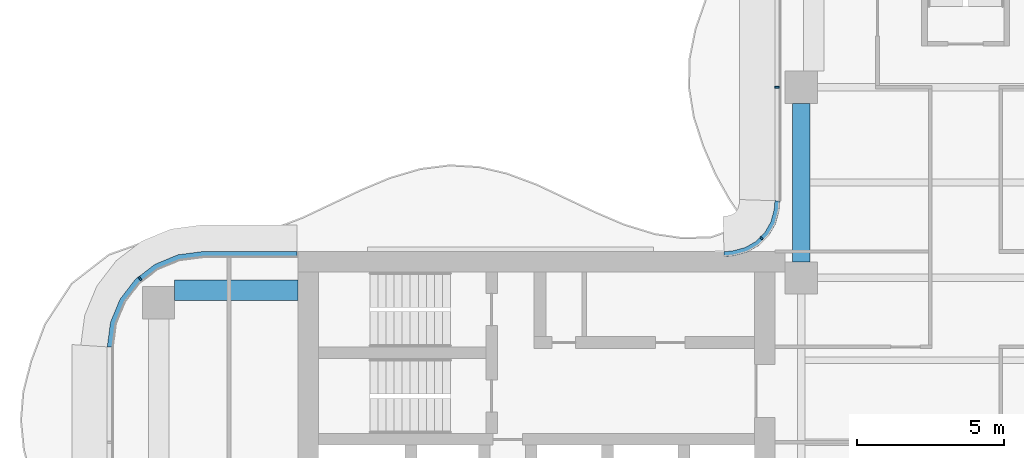
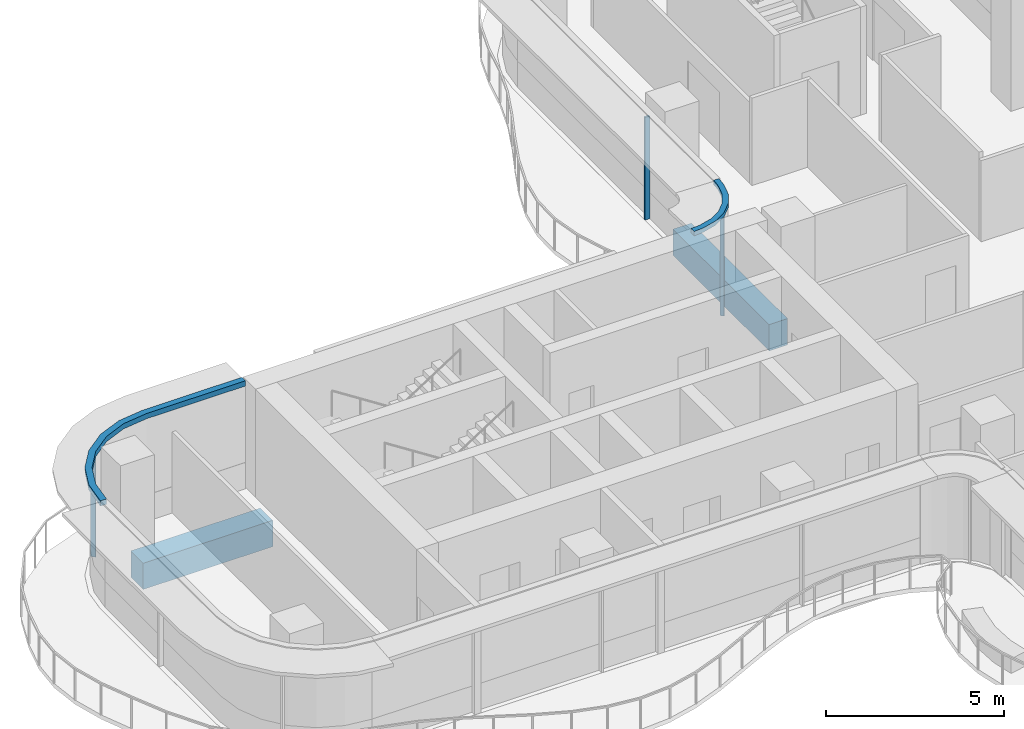
# One storey, part 7 of 19: 5 members, 2 beams, 3 elements without a shape of their own.
"""IFC4 building model written with IfcOpenShell, lengths in metres."""

from ifc_helpers import new_model, si_unit, direction, frame, origin, origin_2d, place, context, subcontext, project, spatial, polyline, rectangle, outline, extrude, source, transform, mapped, material, layer, layer_set, material_profile, profile_set, type_object, element, aggregate, save


model = new_model("IFC4")

# Units and contexts
model_context = context("Model", 3, precision=1e-05, world=origin(), true_north=direction((0.0, 1.0)))
body_context = subcontext(model_context, "Body", "Model", "MODEL_VIEW")
ifc_project = project(units=[si_unit("LENGTHUNIT", "METRE"), si_unit("AREAUNIT", "SQUARE_METRE"), si_unit("VOLUMEUNIT", "CUBIC_METRE"), si_unit("PLANEANGLEUNIT", "RADIAN"), si_unit("MASSUNIT", "GRAM", prefix="KILO")], contexts=[model_context])

# Site, building, storey
site_placement = place(None, origin())
site = spatial("IfcSite", under=ifc_project, at=site_placement, CompositionType="ELEMENT")
building_placement = place(site_placement, origin())
building = spatial("IfcBuilding", under=site, at=building_placement, Name="Trellis Farm Tower", CompositionType="ELEMENT")
storey_placement = place(building_placement, frame((0.0, 0.0, 228.5)))
storey = spatial("IfcBuildingStorey", under=building, at=storey_placement, Name="L50", CompositionType="ELEMENT", Elevation=228.5)

# Beams
ifc_material_1 = material(Name="Concrete C60/75", Category="concrete")
ifc_material_profile_1 = material_profile(ifc_material_1, rectangle(XDim=0.60009765625, YDim=0.89990234375, at=origin_2d()), Name="RC spandrel beam 600x900 C60/75")
ifc_profile_set_1 = profile_set([ifc_material_profile_1], Name="Concrete C60/75")
beam_type_1 = type_object("IfcBeamType", Name="RC spandrel beam 600x900 C60/75", PredefinedType="SPANDREL", material=ifc_profile_set_1)
shared_shape_1 = source(origin(), body_context, "Body", "SweptSolid", [
    extrude(rectangle(XDim=0.60009765625, YDim=0.89990234375, at=origin_2d()), origin(), (0.0, 0.0, 1.0), 5.400146484375),
])
beam_1_placement = place(storey_placement, frame((-5.60009765625, 6.14990234375, -0.64990234375), z_axis=(0.0, 1.0, 0.0), x_axis=(-1.0, 0.0, 0.0)))
element("IfcBeam", 1, at=beam_1_placement, inside=storey, type_object=beam_type_1, Name="Girder", PredefinedType="SPANDREL", context=body_context, shape_type="MappedRepresentation", body=[
    mapped(shared_shape_1, transform((0.0, 0.0, 0.0))),
])
ifc_material_profile_2 = material_profile(ifc_material_1, rectangle(XDim=0.699951171875, YDim=0.89990234375, at=origin_2d()), Name="RC spandrel beam 700x900 C60/75")
ifc_profile_set_2 = profile_set([ifc_material_profile_2], Name="Concrete C60/75")
beam_type_2 = type_object("IfcBeamType", Name="RC spandrel beam 700x900 C60/75", PredefinedType="SPANDREL", material=ifc_profile_set_2)
shared_shape_2 = source(origin(), body_context, "Body", "SweptSolid", [
    extrude(rectangle(XDim=0.699951171875, YDim=0.89990234375, at=origin_2d()), origin(), (0.0, 0.0, 1.0), 4.199951171875),
])
beam_2_placement = place(storey_placement, frame((-26.949951171875, 5.175048828125, -0.64990234375), z_axis=(1.0, 0.0, 0.0), x_axis=(0.0, 1.0, 0.0)))
element("IfcBeam", 2, at=beam_2_placement, inside=storey, type_object=beam_type_2, Name="Girder", PredefinedType="SPANDREL", context=body_context, shape_type="MappedRepresentation", body=[
    mapped(shared_shape_2, transform((0.0, 0.0, 0.0))),
])

# Curtain wall, member
ifc_material_2 = material(Name="Aluminium and glass curtain wall", Category="aluminium")
ifc_layer_1 = layer(ifc_material_2, 0.166015625)
ifc_layer_set_1 = layer_set([ifc_layer_1], Name="WINTER GARDEN CURTAIN WALL CW3")
curtain_wall_type_1 = type_object("IfcCurtainWallType", Name="WINTER GARDEN CURTAIN WALL CW3", PredefinedType="NOTDEFINED", material=ifc_layer_set_1)
placement = place(storey_placement, origin())
curtain_wall_1 = element("IfcCurtainWall", 3, at=placement, inside=storey, type_object=curtain_wall_type_1, Name="CW3 004", PredefinedType="NOTDEFINED")
ifc_material_3 = material(Name="Aluminium extrusion 6063-T6", Category="aluminium")
ifc_layer_2 = layer(ifc_material_3, 0.169921875)
ifc_layer_set_2 = layer_set([ifc_layer_2], Name="Aluminium extrusion 6063-T6")
member_type_1 = type_object("IfcMemberType", Name="CW3 TRANSOM 170x150", PredefinedType="USERDEFINED", material=ifc_layer_set_2)
shared_shape_3 = source(origin(), body_context, "Body", "SweptSolid", [
    extrude(outline(polyline([(-6.5, 8.2314453125), (-6.513916015625, 8.01953125), (-6.527587890625, 7.91552734375), (-6.63671875, 7.508544921875), (-6.846923828125, 7.144287109375), (-7.144287109375, 6.846923828125), (-7.508544921875, 6.63671875), (-7.91552734375, 6.527587890625), (-8.01953125, 6.513916015625), (-8.2314453125, 6.5), (-8.225830078125, 6.330078125), (-8.0029296875, 6.3447265625), (-7.88232421875, 6.360595703125), (-7.44287109375, 6.478271484375), (-7.0400390625, 6.7109375), (-6.7109375, 7.0400390625), (-6.478271484375, 7.44287109375), (-6.360595703125, 7.88232421875), (-6.3447265625, 8.0029296875), (-6.330078125, 8.225830078125), (-6.5, 8.2314453125)])), origin(), (0.0, 0.0, 1.0), 0.14990234375),
])
member_1_placement = place(storey_placement, frame((0.0, 0.0, 3.550048828125)))
member_1 = element("IfcMember", 4, at=member_1_placement, type_object=member_type_1, Name="TR3 004", ObjectType="TRANSOM", PredefinedType="USERDEFINED", context=body_context, shape_type="MappedRepresentation", body=[
    mapped(shared_shape_3, transform((0.0, 0.0, 0.0))),
])

ifc_layer_3 = layer(ifc_material_2, 0.18994140625)
ifc_layer_set_3 = layer_set([ifc_layer_3], Name="RIBBON CURTAIN WALL CW1")
curtain_wall_type_2 = type_object("IfcCurtainWallType", Name="RIBBON CURTAIN WALL CW1", PredefinedType="NOTDEFINED", material=ifc_layer_set_3)
curtain_wall_2 = element("IfcCurtainWall", 5, at=placement, inside=storey, type_object=curtain_wall_type_2, Name="CW1 011", PredefinedType="NOTDEFINED")
ifc_material_profile_3 = material_profile(ifc_material_3, rectangle(XDim=0.06005859375, YDim=0.14990234375, at=origin_2d()), Name="MULLION 60x150")
ifc_profile_set_3 = profile_set([ifc_material_profile_3], Name="Aluminium extrusion 6063-T6")
member_type_2 = type_object("IfcMemberType", Name="CW1 MULLION 60x150", PredefinedType="MULLION", material=ifc_profile_set_3)
shared_shape_4 = source(origin(), body_context, "Body", "SweptSolid", [
    extrude(rectangle(XDim=0.06005859375, YDim=0.14990234375, at=origin_2d()), origin(), (0.0, 0.0, 1.0), 3.52001953125),
])
member_2_placement = place(storey_placement, frame((-6.425048828125, 12.10009765625, 0.0), z_axis=(0.0, 0.0, 1.0), x_axis=(0.0, -1.0, 0.0)))
member_2 = element("IfcMember", 6, at=member_2_placement, type_object=member_type_2, Name="MU1 011-01", PredefinedType="MULLION", context=body_context, shape_type="MappedRepresentation", body=[
    mapped(shared_shape_4, transform((0.0, 0.0, 0.0))),
])
aggregate(curtain_wall_2, [member_2])

curtain_wall_3 = element("IfcCurtainWall", 7, at=placement, inside=storey, type_object=curtain_wall_type_2, Name="CW1 012", PredefinedType="NOTDEFINED")
member_3_placement = place(storey_placement, frame((-28.135498046875, 5.578369140625, 0.0), z_axis=(0.0, 0.0, 1.0), x_axis=(-0.793353340291, -0.608761429009, 0.0)))
member_3 = element("IfcMember", 8, at=member_3_placement, type_object=member_type_2, Name="MU1 012-01", PredefinedType="MULLION", context=body_context, shape_type="MappedRepresentation", body=[
    mapped(shared_shape_4, transform((0.0, 0.0, 0.0))),
])

# Member
ifc_material_profile_4 = material_profile(ifc_material_3, rectangle(XDim=0.050048828125, YDim=0.1201171875, at=origin_2d()), Name="MULLION 50x120")
ifc_profile_set_4 = profile_set([ifc_material_profile_4], Name="Aluminium extrusion 6063-T6")
member_type_3 = type_object("IfcMemberType", Name="CW3 MULLION 50x120", PredefinedType="MULLION", material=ifc_profile_set_4)
shared_shape_5 = source(origin(), body_context, "Body", "SweptSolid", [
    extrude(rectangle(XDim=0.050048828125, YDim=0.1201171875, at=origin_2d()), origin(), (0.0, 0.0, 1.0), 3.550048828125),
])
member_4_placement = place(storey_placement, frame((-6.953125, 6.953125, 0.0), z_axis=(0.0, 0.0, 1.0), x_axis=(-0.707106781187, -0.707106781187, 0.0)))
member_4 = element("IfcMember", 9, at=member_4_placement, type_object=member_type_3, Name="MU3 004-01", PredefinedType="MULLION", context=body_context, shape_type="MappedRepresentation", body=[
    mapped(shared_shape_5, transform((0.0, 0.0, 0.0))),
])

aggregate(curtain_wall_1, [member_4, member_1])

ifc_layer_4 = layer(ifc_material_3, 0.199951171875)
ifc_layer_set_4 = layer_set([ifc_layer_4], Name="Aluminium extrusion 6063-T6")
member_type_4 = type_object("IfcMemberType", Name="CW1 TRANSOM 200x180", PredefinedType="USERDEFINED", material=ifc_layer_set_4)
shared_shape_6 = source(origin(), body_context, "Body", "SweptSolid", [
    extrude(outline(polyline([(-22.780029296875, 6.5), (-26.0, 6.5), (-26.841064453125, 6.38916015625), (-27.625, 6.064697265625), (-28.298095703125, 5.548095703125), (-28.814697265625, 4.875), (-29.13916015625, 4.091064453125), (-29.25, 3.25), (-29.050048828125, 3.23681640625), (-28.9443359375, 4.0390625), (-28.639892578125, 4.774169921875), (-28.155517578125, 5.405517578125), (-27.524169921875, 5.889892578125), (-26.7890625, 6.1943359375), (-25.98681640625, 6.300048828125), (-22.780029296875, 6.300048828125), (-22.780029296875, 6.5)])), origin(), (0.0, 0.0, 1.0), 0.179931640625),
])
member_5_placement = place(storey_placement, frame((0.0, 0.0, 3.52001953125)))
member_5 = element("IfcMember", 10, at=member_5_placement, type_object=member_type_4, Name="TR1 012", ObjectType="TRANSOM", PredefinedType="USERDEFINED", context=body_context, shape_type="MappedRepresentation", body=[
    mapped(shared_shape_6, transform((0.0, 0.0, 0.0))),
])

aggregate(curtain_wall_3, [member_3, member_5])

save(model, "model.ifc")
